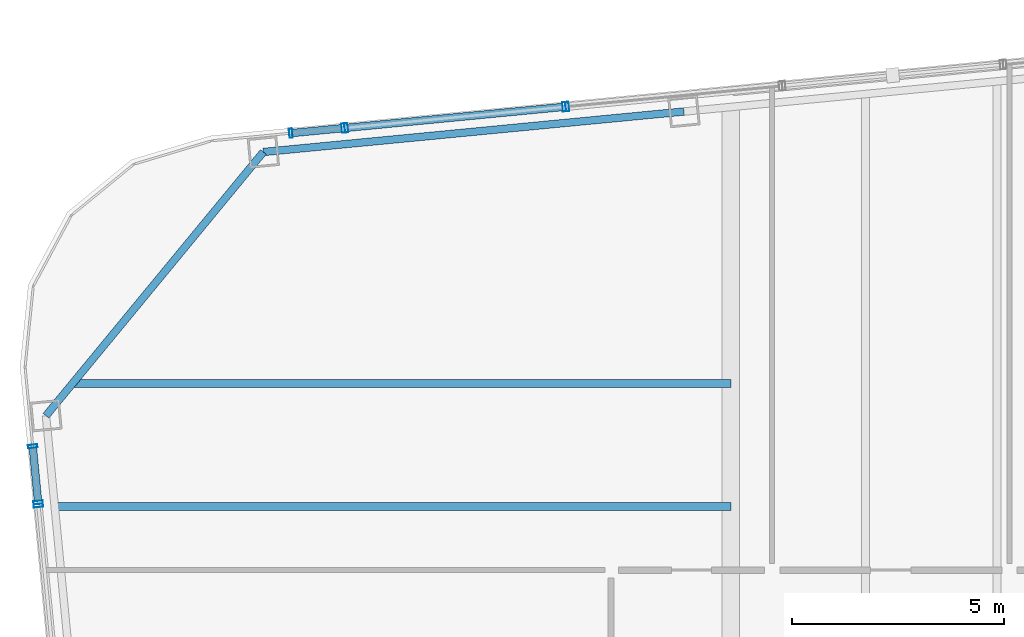
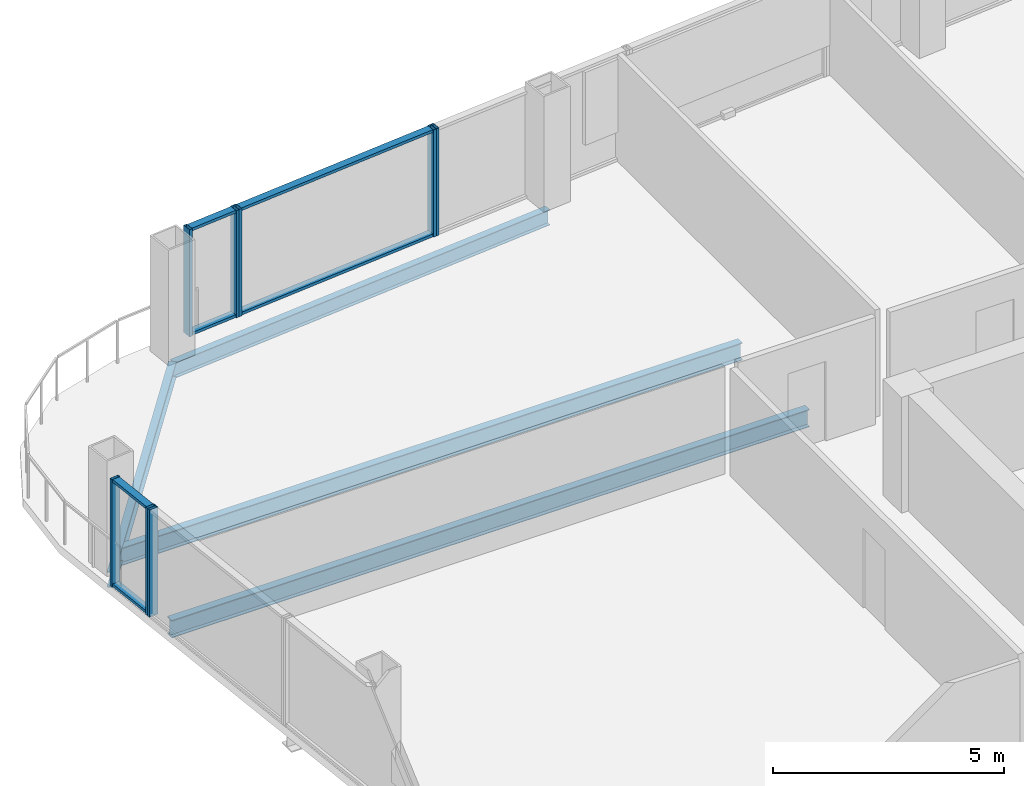
# One storey, part 12 of 22: 14 members, 4 beams, 5 elements without a shape of their own.
"""IFC4 building model written with IfcOpenShell, lengths in metres."""

from ifc_helpers import new_model, si_unit, direction, frame, origin, origin_2d, place, context, subcontext, project, spatial, hollow_rectangle, i_section, extrude, material, layer, layer_set, material_profile, profile_set, type_object, element, aggregate, save


model = new_model("IFC4")

# Units and contexts
model_context = context("Model", 3, precision=1e-05, world=origin(), true_north=direction((0.0, 1.0)))
body_context = subcontext(model_context, "Body", "Model", "MODEL_VIEW")
ifc_project = project(units=[si_unit("LENGTHUNIT", "METRE"), si_unit("AREAUNIT", "SQUARE_METRE"), si_unit("VOLUMEUNIT", "CUBIC_METRE"), si_unit("PLANEANGLEUNIT", "RADIAN"), si_unit("MASSUNIT", "GRAM", prefix="KILO")], contexts=[model_context])

# Site, building, storey
site_placement = place(None, origin())
site = spatial("IfcSite", under=ifc_project, at=site_placement, CompositionType="ELEMENT")
building_placement = place(site_placement, origin())
building = spatial("IfcBuilding", under=site, at=building_placement, Name="Qhalaya Broadcast Tower", CompositionType="ELEMENT")
storey_placement = place(building_placement, frame((0.0, 0.0, 165.300048828125)))
storey = spatial("IfcBuildingStorey", under=building, at=storey_placement, Name="L48", CompositionType="ELEMENT", Elevation=165.300048828125)

# Beams
ifc_material_1 = material(Name="Structural Steel ASTM A992 Grade 50", Category="steel")
ifc_material_profile_1 = material_profile(ifc_material_1, i_section(OverallWidth=0.19189453125, OverallDepth=0.462890625, WebThickness=0.010498046875, FlangeThickness=0.017578125, at=origin_2d()), Name="W18X60")
ifc_profile_set_1 = profile_set([ifc_material_profile_1], Name="Structural Steel ASTM A992 Grade 50")
beam_type_1 = type_object("IfcBeamType", Name="Composite Floor Joist J03", PredefinedType="JOIST", material=ifc_profile_set_1)
beam_1_placement = place(storey_placement, frame((-25.301513671875, 14.300048828125, -0.45166015625), z_axis=(1.0, 0.0, 0.0), x_axis=(0.0, 1.0, 0.0)))
element("IfcBeam", 1, at=beam_1_placement, inside=storey, type_object=beam_type_1, Name="L48 J03 L48-JWE6W-1", PredefinedType="JOIST", context=body_context, shape_type="SweptSolid", body=[
    extrude(i_section(OverallWidth=0.19189453125, OverallDepth=0.462890625, WebThickness=0.010498046875, FlangeThickness=0.017578125, at=origin_2d()), origin(), (0.0, 0.0, 1.0), 15.926513671875),
])
beam_2_placement = place(storey_placement, frame((-24.876953125, 17.199951171875, -0.45166015625), z_axis=(1.0, 0.0, 0.0), x_axis=(0.0, 1.0, 0.0)))
element("IfcBeam", 2, at=beam_2_placement, inside=storey, type_object=beam_type_1, Name="L48 J03 L48-JWE7W-1", PredefinedType="JOIST", context=body_context, shape_type="SweptSolid", body=[
    extrude(i_section(OverallWidth=0.19189453125, OverallDepth=0.462890625, WebThickness=0.010498046875, FlangeThickness=0.017578125, at=origin_2d()), origin(), (0.0, 0.0, 1.0), 15.501953125),
])

# Curtain wall, member
ifc_material_2 = material(Name="Solar-Control Low-E Triple Glazing", Category="glass")
ifc_layer_1 = layer(ifc_material_2, 0.219970703125, Name="Solar-Control Low-E Triple Glazing")
ifc_layer_set_1 = layer_set([ifc_layer_1], Name="Solar-Control Low-E Triple Glazing")
curtain_wall_type_1 = type_object("IfcCurtainWallType", Name="Even-Block 4-Storey Double-Module Curtain Wall CW-03", PredefinedType="NOTDEFINED", material=ifc_layer_set_1)
curtain_wall_1_placement = place(storey_placement, origin())
curtain_wall_1 = element("IfcCurtainWall", 3, at=curtain_wall_1_placement, inside=storey, type_object=curtain_wall_type_1, Name="L48 Unitised Curtain Wall L48-CW-N5", PredefinedType="NOTDEFINED")
ifc_material_3 = material(Name="Anodised Aluminium 6063-T6", Category="aluminium")
ifc_material_profile_2 = material_profile(ifc_material_3, hollow_rectangle(XDim=0.074951171875, YDim=0.219970703125, WallThickness=0.00390625, at=origin_2d()), Name="ALU-MUL 75x220x4")
ifc_profile_set_2 = profile_set([ifc_material_profile_2], Name="Anodised Aluminium 6063-T6")
member_type_1 = type_object("IfcMemberType", Name="Unitised Curtain-Wall Mullion M01", PredefinedType="MULLION", material=ifc_profile_set_2)
member_1_placement = place(storey_placement, frame((-13.231689453125, 23.734130859375, 0.0), z_axis=(0.0, 0.0, 1.0), x_axis=(-0.995395950784, -0.095848323733, 0.0)))
member_1 = element("IfcMember", 4, at=member_1_placement, type_object=member_type_1, Name="CW-03 mullion 2", PredefinedType="MULLION", context=body_context, shape_type="SweptSolid", body=[
    extrude(hollow_rectangle(XDim=0.074951171875, YDim=0.219970703125, WallThickness=0.00390625, at=origin_2d()), origin(), (0.0, 0.0, 1.0), 2.829833984375),
])
aggregate(curtain_wall_1, [member_1])

# Curtain wall, members
ifc_material_4 = material(Name="Fired Architectural Terracotta", Category="masonry")
ifc_layer_2 = layer(ifc_material_4, 0.219970703125, Name="Fired Architectural Terracotta")
ifc_layer_set_2 = layer_set([ifc_layer_2], Name="Fired Architectural Terracotta")
curtain_wall_type_2 = type_object("IfcCurtainWallType", Name="Block-Cap Unitised Terracotta Spandrel Wall CW-07", PredefinedType="NOTDEFINED", material=ifc_layer_set_2)
curtain_wall_2_placement = place(storey_placement, origin())
curtain_wall_2 = element("IfcCurtainWall", 5, at=curtain_wall_2_placement, inside=storey, type_object=curtain_wall_type_2, Name="L48 Unitised Curtain Wall L48-CW-N6", PredefinedType="NOTDEFINED")
member_2_placement = place(storey_placement, frame((-13.306396484375, 23.726806640625, 0.0), z_axis=(0.0, 0.0, 1.0), x_axis=(-0.995395267059, -0.095855424032, 0.0)))
member_2 = element("IfcMember", 6, at=member_2_placement, type_object=member_type_1, Name="CW-07 mullion 1", PredefinedType="MULLION", context=body_context, shape_type="SweptSolid", body=[
    extrude(hollow_rectangle(XDim=0.074951171875, YDim=0.219970703125, WallThickness=0.00390625, at=origin_2d()), origin(), (0.0, 0.0, 1.0), 2.829833984375),
])
member_3_placement = place(storey_placement, frame((-18.443603515625, 23.232177734375, 0.0), z_axis=(0.0, 0.0, 1.0), x_axis=(-0.995395267059, -0.095855424032, 0.0)))
member_3 = element("IfcMember", 7, at=member_3_placement, type_object=member_type_1, Name="CW-07 mullion 2", PredefinedType="MULLION", context=body_context, shape_type="SweptSolid", body=[
    extrude(hollow_rectangle(XDim=0.074951171875, YDim=0.219970703125, WallThickness=0.00390625, at=origin_2d()), origin(), (0.0, 0.0, 1.0), 2.829833984375),
])

curtain_wall_3_placement = place(storey_placement, origin())
curtain_wall_3 = element("IfcCurtainWall", 8, at=curtain_wall_3_placement, inside=storey, type_object=curtain_wall_type_1, Name="L48 Unitised Curtain Wall L48-CW-N7", PredefinedType="NOTDEFINED")
member_4_placement = place(storey_placement, frame((-18.518310546875, 23.22509765625, 0.0), z_axis=(0.0, 0.0, 1.0), x_axis=(-0.99539857312, -0.095821086563, 0.0)))
member_4 = element("IfcMember", 9, at=member_4_placement, type_object=member_type_1, Name="CW-03 mullion 1", PredefinedType="MULLION", context=body_context, shape_type="SweptSolid", body=[
    extrude(hollow_rectangle(XDim=0.074951171875, YDim=0.219970703125, WallThickness=0.00390625, at=origin_2d()), origin(), (0.0, 0.0, 1.0), 2.829833984375),
])
member_5_placement = place(storey_placement, frame((-19.75244140625, 23.106201171875, 0.0), z_axis=(0.0, 0.0, 1.0), x_axis=(-0.99539857312, -0.095821086563, 0.0)))
member_5 = element("IfcMember", 10, at=member_5_placement, type_object=member_type_1, Name="CW-03 mullion 2", PredefinedType="MULLION", context=body_context, shape_type="SweptSolid", body=[
    extrude(hollow_rectangle(XDim=0.074951171875, YDim=0.219970703125, WallThickness=0.00390625, at=origin_2d()), origin(), (0.0, 0.0, 1.0), 2.829833984375),
])

curtain_wall_4_placement = place(storey_placement, origin())
curtain_wall_4 = element("IfcCurtainWall", 11, at=curtain_wall_4_placement, inside=storey, type_object=curtain_wall_type_1, Name="L48 Unitised Curtain Wall L48-CW-W1", PredefinedType="NOTDEFINED")
member_6_placement = place(storey_placement, frame((-25.840087890625, 15.72119140625, 0.0), z_axis=(0.0, 0.0, 1.0), x_axis=(0.095873796301, -0.99539349766, 0.0)))
member_6 = element("IfcMember", 12, at=member_6_placement, type_object=member_type_1, Name="CW-03 mullion 1", PredefinedType="MULLION", context=body_context, shape_type="SweptSolid", body=[
    extrude(hollow_rectangle(XDim=0.074951171875, YDim=0.219970703125, WallThickness=0.00390625, at=origin_2d()), origin(), (0.0, 0.0, 1.0), 2.829833984375),
])
member_7_placement = place(storey_placement, frame((-25.712646484375, 14.397216796875, 0.0), z_axis=(0.0, 0.0, 1.0), x_axis=(0.095873796301, -0.99539349766, 0.0)))
member_7 = element("IfcMember", 13, at=member_7_placement, type_object=member_type_1, Name="CW-03 mullion 2", PredefinedType="MULLION", context=body_context, shape_type="SweptSolid", body=[
    extrude(hollow_rectangle(XDim=0.074951171875, YDim=0.219970703125, WallThickness=0.00390625, at=origin_2d()), origin(), (0.0, 0.0, 1.0), 2.829833984375),
])

# Curtain wall, member
curtain_wall_5_placement = place(storey_placement, origin())
curtain_wall_5 = element("IfcCurtainWall", 14, at=curtain_wall_5_placement, inside=storey, type_object=curtain_wall_type_2, Name="L48 Unitised Curtain Wall L48-CW-W2", PredefinedType="NOTDEFINED")
member_8_placement = place(storey_placement, frame((-25.70556640625, 14.32275390625, 0.0), z_axis=(0.0, 0.0, 1.0), x_axis=(0.09584506238, -0.99539626482, 0.0)))
member_8 = element("IfcMember", 15, at=member_8_placement, type_object=member_type_1, Name="CW-07 mullion 1", PredefinedType="MULLION", context=body_context, shape_type="SweptSolid", body=[
    extrude(hollow_rectangle(XDim=0.074951171875, YDim=0.219970703125, WallThickness=0.00390625, at=origin_2d()), origin(), (0.0, 0.0, 1.0), 2.829833984375),
])
aggregate(curtain_wall_5, [member_8])

# Member
ifc_material_profile_3 = material_profile(ifc_material_3, hollow_rectangle(XDim=0.074951171875, YDim=0.179931640625, WallThickness=0.00390625, at=origin_2d()), Name="ALU-TRN 75x180x4")
ifc_profile_set_3 = profile_set([ifc_material_profile_3], Name="Anodised Aluminium 6063-T6")
member_type_2 = type_object("IfcMemberType", Name="Unitised Curtain-Wall Transom T01", PredefinedType="USERDEFINED", material=ifc_profile_set_3)
member_9_placement = place(storey_placement, frame((-13.34375, 23.723388671875, 0.037353515625), z_axis=(-0.995394593967, -0.095862413395, 0.0), x_axis=(0.0, 0.0, 1.0)))
member_9 = element("IfcMember", 16, at=member_9_placement, type_object=member_type_2, Name="CW-07 transom 1.1", ObjectType="TRANSOM", PredefinedType="USERDEFINED", context=body_context, shape_type="SweptSolid", body=[
    extrude(hollow_rectangle(XDim=0.074951171875, YDim=0.179931640625, WallThickness=0.00390625, at=origin_2d()), origin(), (0.0, 0.0, 1.0), 5.0859375),
])

member_10_placement = place(storey_placement, frame((-13.34375, 23.723388671875, 2.79248046875), z_axis=(-0.995394593967, -0.095862413395, 0.0), x_axis=(0.0, 0.0, 1.0)))
member_10 = element("IfcMember", 17, at=member_10_placement, type_object=member_type_2, Name="CW-07 transom 1.2", ObjectType="TRANSOM", PredefinedType="USERDEFINED", context=body_context, shape_type="SweptSolid", body=[
    extrude(hollow_rectangle(XDim=0.074951171875, YDim=0.179931640625, WallThickness=0.00390625, at=origin_2d()), origin(), (0.0, 0.0, 1.0), 5.0859375),
])

aggregate(curtain_wall_2, [member_2, member_3, member_9, member_10])

member_11_placement = place(storey_placement, frame((-18.5556640625, 23.221435546875, 0.037353515625), z_axis=(-0.995401729679, -0.095788290264, 0.0), x_axis=(0.0, 0.0, 1.0)))
member_11 = element("IfcMember", 18, at=member_11_placement, type_object=member_type_2, Name="CW-03 transom 1.1", ObjectType="TRANSOM", PredefinedType="USERDEFINED", context=body_context, shape_type="SweptSolid", body=[
    extrude(hollow_rectangle(XDim=0.074951171875, YDim=0.179931640625, WallThickness=0.00390625, at=origin_2d()), origin(), (0.0, 0.0, 1.0), 1.164794921875),
])

member_12_placement = place(storey_placement, frame((-18.5556640625, 23.221435546875, 2.79248046875), z_axis=(-0.995401729679, -0.095788290264, 0.0), x_axis=(0.0, 0.0, 1.0)))
member_12 = element("IfcMember", 19, at=member_12_placement, type_object=member_type_2, Name="CW-03 transom 1.2", ObjectType="TRANSOM", PredefinedType="USERDEFINED", context=body_context, shape_type="SweptSolid", body=[
    extrude(hollow_rectangle(XDim=0.074951171875, YDim=0.179931640625, WallThickness=0.00390625, at=origin_2d()), origin(), (0.0, 0.0, 1.0), 1.164794921875),
])

aggregate(curtain_wall_3, [member_4, member_5, member_11, member_12])

member_13_placement = place(storey_placement, frame((-25.836669921875, 15.683837890625, 0.037353515625), z_axis=(0.095901442522, -0.995390834458, 0.0), x_axis=(0.0, 0.0, 1.0)))
member_13 = element("IfcMember", 20, at=member_13_placement, type_object=member_type_2, Name="CW-03 transom 1.1", ObjectType="TRANSOM", PredefinedType="USERDEFINED", context=body_context, shape_type="SweptSolid", body=[
    extrude(hollow_rectangle(XDim=0.074951171875, YDim=0.179931640625, WallThickness=0.00390625, at=origin_2d()), origin(), (0.0, 0.0, 1.0), 1.255126953125),
])

member_14_placement = place(storey_placement, frame((-25.836669921875, 15.683837890625, 2.79248046875), z_axis=(0.095901442522, -0.995390834458, 0.0), x_axis=(0.0, 0.0, 1.0)))
member_14 = element("IfcMember", 21, at=member_14_placement, type_object=member_type_2, Name="CW-03 transom 1.2", ObjectType="TRANSOM", PredefinedType="USERDEFINED", context=body_context, shape_type="SweptSolid", body=[
    extrude(hollow_rectangle(XDim=0.074951171875, YDim=0.179931640625, WallThickness=0.00390625, at=origin_2d()), origin(), (0.0, 0.0, 1.0), 1.255126953125),
])

aggregate(curtain_wall_4, [member_6, member_7, member_13, member_14])

# Beams
ifc_material_profile_4 = material_profile(ifc_material_1, i_section(OverallWidth=0.177978515625, OverallDepth=0.406005859375, WebThickness=0.0078125, FlangeThickness=0.0126953125, at=origin_2d()), Name="W16X40")
ifc_profile_set_4 = profile_set([ifc_material_profile_4], Name="Structural Steel ASTM A992 Grade 50")
beam_type_2 = type_object("IfcBeamType", Name="Upper Perimeter Spandrel Beam SP2", PredefinedType="SPANDREL", material=ifc_profile_set_4)
beam_3_placement = place(storey_placement, frame((-10.4794921875, 23.6171875, -0.423095703125), z_axis=(-0.995398071879, -0.095826293365, 0.0), x_axis=(0.095826293365, -0.995398071879, 0.0)))
element("IfcBeam", 22, at=beam_3_placement, inside=storey, type_object=beam_type_2, Name="L48 SP2 L48-SPR-11", PredefinedType="SPANDREL", context=body_context, shape_type="SweptSolid", body=[
    extrude(i_section(OverallWidth=0.177978515625, OverallDepth=0.406005859375, WebThickness=0.0078125, FlangeThickness=0.0126953125, at=origin_2d()), origin(), (0.0, 0.0, 1.0), 9.966796875),
])
beam_4_placement = place(storey_placement, frame((-20.400390625, 22.662109375, -0.423095703125), z_axis=(-0.636070241972, -0.771631160126, 0.0), x_axis=(0.771631160126, -0.636070241972, 0.0)))
element("IfcBeam", 23, at=beam_4_placement, inside=storey, type_object=beam_type_2, Name="L48 SP2 L48-SPR-12", PredefinedType="SPANDREL", context=body_context, shape_type="SweptSolid", body=[
    extrude(i_section(OverallWidth=0.177978515625, OverallDepth=0.406005859375, WebThickness=0.0078125, FlangeThickness=0.0126953125, at=origin_2d()), origin(), (0.0, 0.0, 1.0), 8.06103515625),
])

save(model, "model.ifc")
